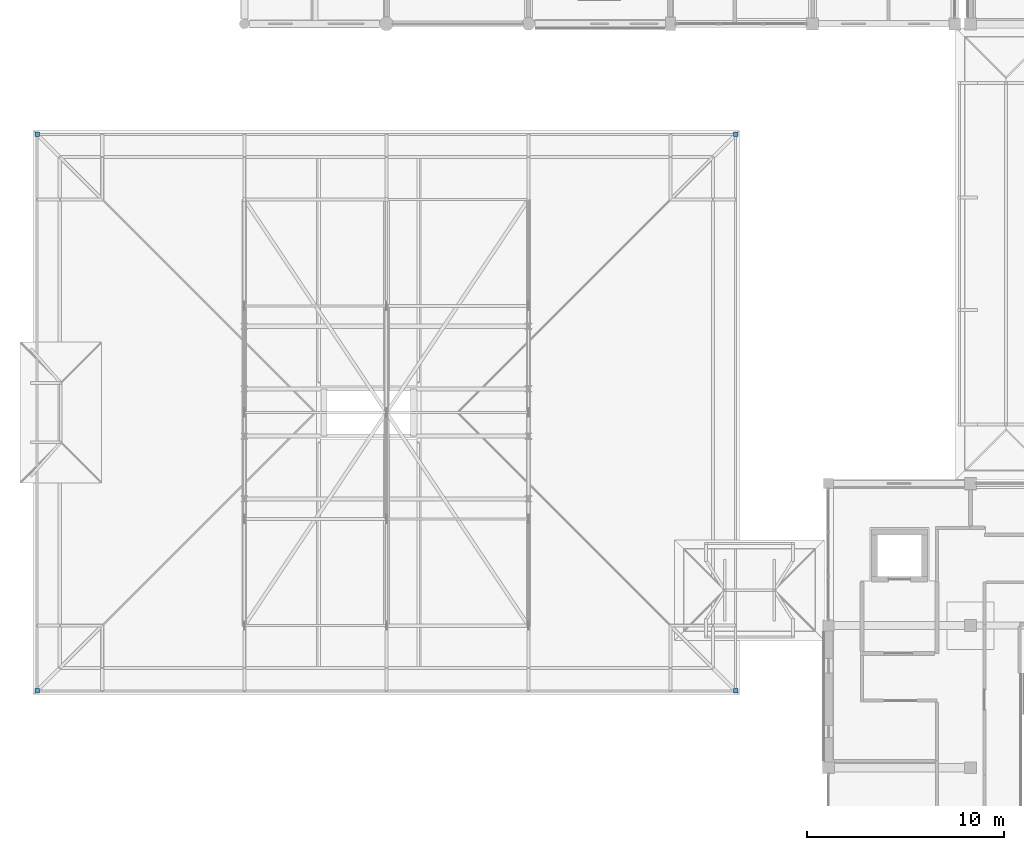
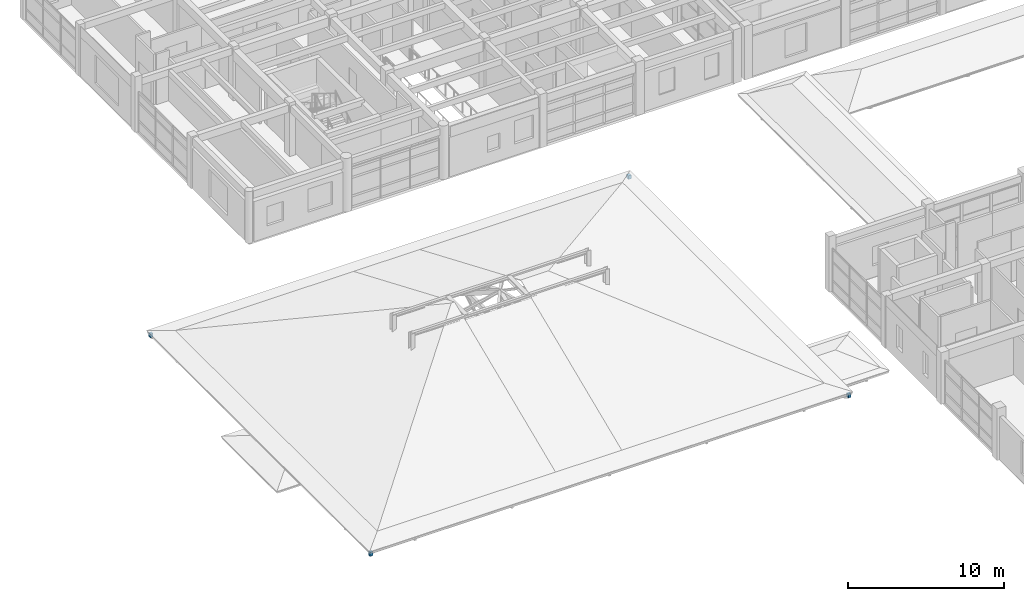
# One storey, part 98 of 110: 4 discrete accessories.
"""IFC4 building model written with IfcOpenShell, lengths in metres."""

from ifc_helpers import new_model, si_unit, direction, frame, origin, origin_2d, place, context, subcontext, project, spatial, rectangle, extrude, material, type_object, element, save


model = new_model("IFC4")

# Units and contexts
model_context = context("Model", 3, precision=1e-05, world=origin(), true_north=direction((0.0, 1.0)))
body_context = subcontext(model_context, "Body", "Model", "MODEL_VIEW")
ifc_project = project(units=[si_unit("LENGTHUNIT", "METRE"), si_unit("AREAUNIT", "SQUARE_METRE"), si_unit("VOLUMEUNIT", "CUBIC_METRE"), si_unit("PLANEANGLEUNIT", "RADIAN"), si_unit("MASSUNIT", "GRAM", prefix="KILO")], contexts=[model_context])

# Site, building, storey
site_placement = place(None, origin())
site = spatial("IfcSite", under=ifc_project, at=site_placement, CompositionType="ELEMENT")
building_placement = place(site_placement, origin())
building = spatial("IfcBuilding", under=site, at=building_placement, Name="Steenspoor Specialist Clinic", CompositionType="ELEMENT")
storey_placement = place(building_placement, frame((0.0, 0.0, 4.800048828125)))
storey = spatial("IfcBuildingStorey", under=building, at=storey_placement, Name="L01", CompositionType="ELEMENT", Elevation=4.800048828125)

# Discrete accessories
ifc_material = material(Name="Galvanised steel mounting bracket", Category="steel")
discrete_accessory_type = type_object("IfcDiscreteAccessoryType", Name="ACC-BRACKET-FIN", PredefinedType="BRACKET", material=ifc_material)
for number, where, z_axis, x_axis, name in (
    (1, (5.10009765625, 31.35009765625, -0.3984375), (0.0, 0.0, 1.0), (1.0, 0.0, 0.0), "Eave Corner Hip Bracket 107"),
    (2, (5.10009765625, 59.550048828125, -0.3984375), (0.0, 0.0, 1.0), (1.0, 0.0, 0.0), "Eave Corner Hip Bracket 109"),
    (3, (40.5, 31.35009765625, -0.3984375), (0.0, 0.0, 1.0), (1.0, 0.0, 0.0), "Eave Corner Hip Bracket 111"),
    (4, (40.5, 59.550048828125, -0.3984375), (0.0, 0.0, 1.0), (1.0, 0.0, 0.0), "Eave Corner Hip Bracket 113"),
):
    element("IfcDiscreteAccessory", number, at=place(storey_placement, frame(where, z_axis=z_axis, x_axis=x_axis)), inside=storey, type_object=discrete_accessory_type, Name=name, PredefinedType="BRACKET", context=body_context, shape_type="SweptSolid", body=[
        extrude(rectangle(XDim=0.219970703125, YDim=0.219970703125, at=origin_2d()), origin(), (0.0, 0.0, 1.0), 0.293212890625),
    ])

save(model, "model.ifc")
